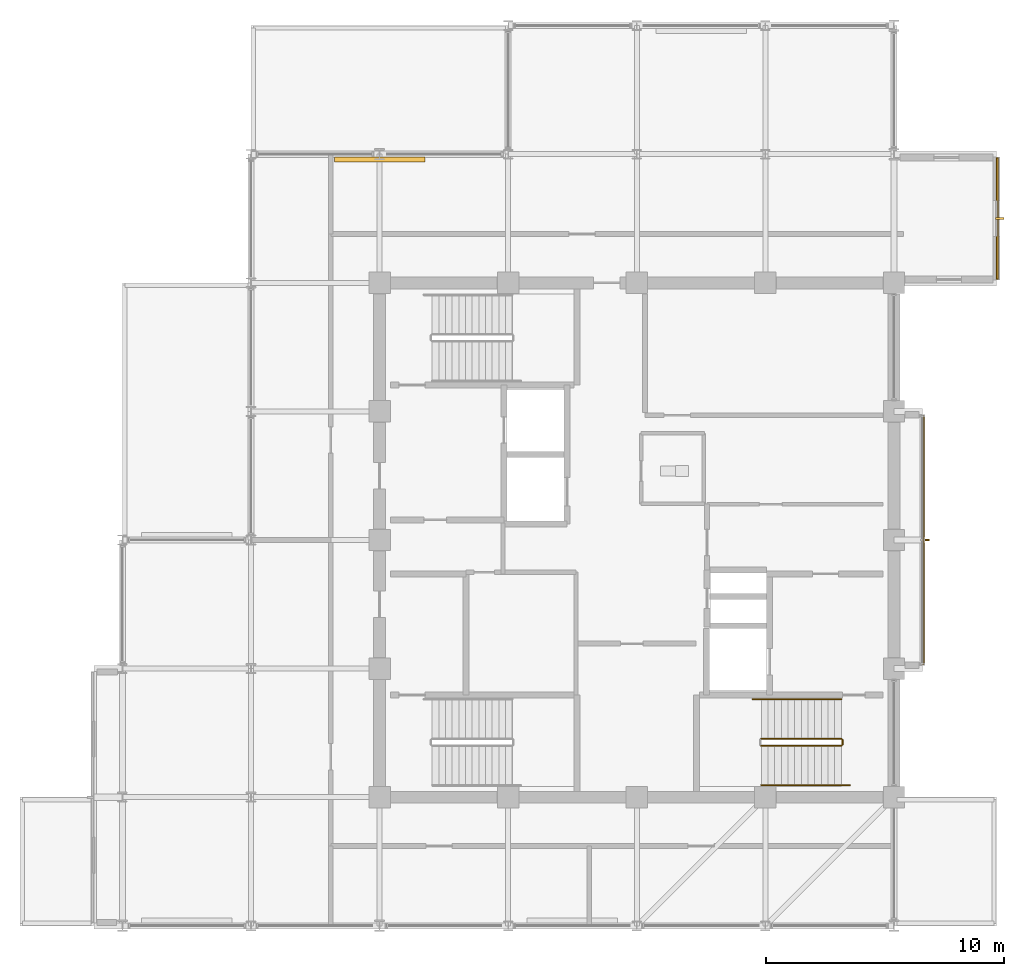
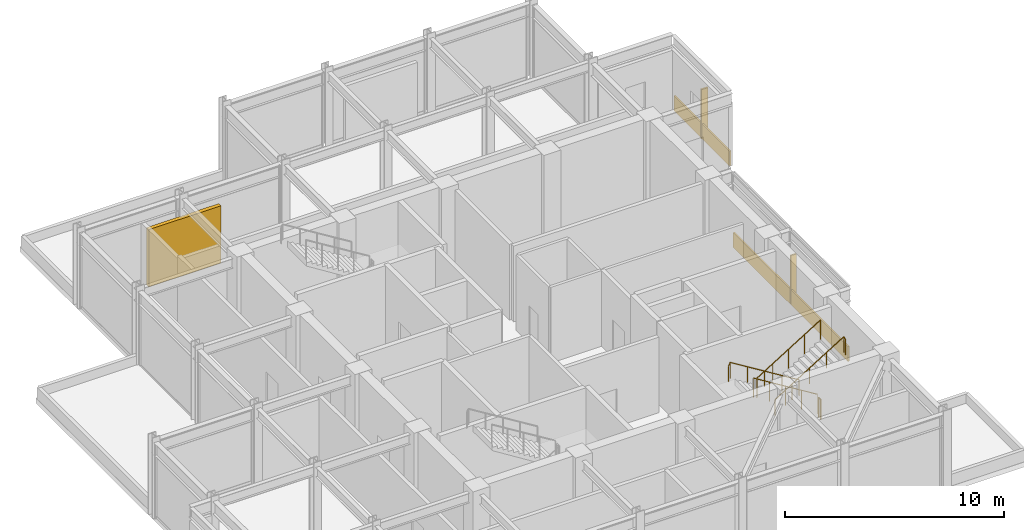
# One storey, part 19 of 21: 5 railings, 3 shading devices, 2 coverings.
"""IFC4 building model written with IfcOpenShell, lengths in metres."""

from ifc_helpers import new_model, si_unit, direction, frame, origin, origin_2d, place, context, subcontext, project, spatial, rectangle, circle, extrude, material, layer, layer_set, type_object, element, save


model = new_model("IFC4")

# Units and contexts
model_context = context("Model", 3, precision=1e-05, world=origin(), true_north=direction((0.0, 1.0)))
body_context = subcontext(model_context, "Body", "Model", "MODEL_VIEW")
ifc_project = project(units=[si_unit("LENGTHUNIT", "METRE"), si_unit("AREAUNIT", "SQUARE_METRE"), si_unit("VOLUMEUNIT", "CUBIC_METRE"), si_unit("PLANEANGLEUNIT", "RADIAN"), si_unit("MASSUNIT", "GRAM", prefix="KILO")], contexts=[model_context])

# Site, building, storey
site_placement = place(None, origin())
site = spatial("IfcSite", under=ifc_project, at=site_placement, CompositionType="ELEMENT")
building_placement = place(site_placement, origin())
building = spatial("IfcBuilding", under=site, at=building_placement, Name="Surkhivell Harbour Commons", CompositionType="ELEMENT")
storey_placement = place(building_placement, frame((0.0, 0.0, 346.5)))
storey = spatial("IfcBuildingStorey", under=building, at=storey_placement, Name="L90", CompositionType="ELEMENT", Elevation=346.5)

# Coverings
ifc_material_1 = material(Name="Cobalt-azure enamelled aluminium cassette panel", Category="aluminium")
ifc_layer_1 = layer(ifc_material_1, 0.072021484375)
ifc_layer_set_1 = layer_set([ifc_layer_1], Name="Cobalt-azure enamelled aluminium cassette panel")
covering_type_1 = type_object("IfcCoveringType", Name="COV-CLAD-COB", PredefinedType="CLADDING", material=ifc_layer_set_1)
covering_1_placement = place(storey_placement, frame((12.0400390625, 0.0, 0.0), z_axis=(0.0, 0.0, 1.0), x_axis=(1.0, 0.0, 0.0)))
element("IfcCovering", 1, at=covering_1_placement, inside=storey, type_object=covering_type_1, Name="L90 Coloured-Panel Box Spandrel Cassette 01", PredefinedType="CLADDING", context=body_context, shape_type="SweptSolid", body=[
    extrude(rectangle(XDim=0.080078125, YDim=10.5, at=origin_2d()), origin(), (0.0, 0.0, 1.0), 0.840087890625),
])
ifc_material_2 = material(Name="Saffron-gold enamelled aluminium cassette panel", Category="aluminium")
ifc_layer_2 = layer(ifc_material_2, 0.070068359375)
ifc_layer_set_2 = layer_set([ifc_layer_2], Name="Saffron-gold enamelled aluminium cassette panel")
covering_type_2 = type_object("IfcCoveringType", Name="COV-CLAD-SAF", PredefinedType="CLADDING", material=ifc_layer_set_2)
covering_2_placement = place(storey_placement, frame((15.139892578125, 13.5, 0.0), z_axis=(0.0, 0.0, 1.0), x_axis=(1.0, 0.0, 0.0)))
element("IfcCovering", 2, at=covering_2_placement, inside=storey, type_object=covering_type_2, Name="L90 Coloured-Panel Box Spandrel Cassette 02", PredefinedType="CLADDING", context=body_context, shape_type="SweptSolid", body=[
    extrude(rectangle(XDim=0.080078125, YDim=5.10009765625, at=origin_2d()), origin(), (0.0, 0.0, 1.0), 0.840087890625),
])

# Railings
ifc_material_3 = material(Name="Galvanised and painted steel S355 guard rail", Category="steel")
railing_type_1 = type_object("IfcRailingType", Name="RAL-ST-GRD1100", PredefinedType="GUARDRAIL", material=ifc_material_3)
railing_1_placement = place(storey_placement, frame((8.590087890625, -8.340087890625, 0.173095703125)))
element("IfcRailing", 3, at=railing_1_placement, inside=storey, type_object=railing_type_1, Name="L90 ST2 stair guard 1", PredefinedType="GUARDRAIL", context=body_context, shape_type="SweptSolid", body=[
    extrude(circle(Radius=0.02392578125, at=origin_2d()), frame((0.0, 0.0, 1.076171875), z_axis=(-0.850623216509, 0.0, 0.525775754039), x_axis=(0.0, -1.0, 0.0)), (0.0, 0.0, 1.0), 3.9501953125),
    extrude(circle(Radius=0.02099609375, at=origin_2d()), origin(), (0.0, 0.0, 1.0), 1.052001953125),
    extrude(circle(Radius=0.02099609375, at=origin_2d()), frame((-0.840087890625, 0.0, 0.519287109375)), (0.0, 0.0, 1.0), 1.052001953125),
    extrude(circle(Radius=0.02099609375, at=origin_2d()), frame((-1.68017578125, 0.0, 1.03857421875)), (0.0, 0.0, 1.0), 1.052001953125),
    extrude(circle(Radius=0.02099609375, at=origin_2d()), frame((-2.52001953125, 0.0, 1.5576171875)), (0.0, 0.0, 1.0), 1.052001953125),
    extrude(circle(Radius=0.02099609375, at=origin_2d()), frame((-3.360107421875, 0.0, 2.076904296875)), (0.0, 0.0, 1.0), 1.052001953125),
])
railing_2_placement = place(storey_placement, frame((5.22998046875, -8.639892578125, 2.423095703125)))
element("IfcRailing", 4, at=railing_2_placement, inside=storey, type_object=railing_type_1, Name="L90 ST2 stair guard 3", PredefinedType="GUARDRAIL", context=body_context, shape_type="SweptSolid", body=[
    extrude(circle(Radius=0.02392578125, at=origin_2d()), frame((0.0, 0.0, 1.076171875), z_axis=(0.850623216509, 0.0, 0.525775754039), x_axis=(0.0, 1.0, 0.0)), (0.0, 0.0, 1.0), 3.9501953125),
    extrude(circle(Radius=0.02099609375, at=origin_2d()), origin(), (0.0, 0.0, 1.0), 1.052001953125),
    extrude(circle(Radius=0.02099609375, at=origin_2d()), frame((0.840087890625, 0.0, 0.519287109375)), (0.0, 0.0, 1.0), 1.052001953125),
    extrude(circle(Radius=0.02099609375, at=origin_2d()), frame((1.68017578125, 0.0, 1.03857421875)), (0.0, 0.0, 1.0), 1.052001953125),
    extrude(circle(Radius=0.02099609375, at=origin_2d()), frame((2.52001953125, 0.0, 1.5576171875)), (0.0, 0.0, 1.0), 1.052001953125),
    extrude(circle(Radius=0.02099609375, at=origin_2d()), frame((3.360107421875, 0.0, 2.076904296875)), (0.0, 0.0, 1.0), 1.052001953125),
])
railing_3_placement = place(storey_placement, frame((8.639892578125, -8.389892578125, 0.0)))
element("IfcRailing", 5, at=railing_3_placement, inside=storey, type_object=railing_type_1, Name="L90 ST2 stair guard 4", PredefinedType="GUARDRAIL", context=body_context, shape_type="SweptSolid", body=[
    extrude(circle(Radius=0.02392578125, at=origin_2d()), frame((0.0, 0.0, 1.076171875), z_axis=(0.0, -1.0, 0.0), x_axis=(1.0, 0.0, 0.0)), (0.0, 0.0, 1.0), 0.2001953125),
    extrude(circle(Radius=0.02099609375, at=origin_2d()), origin(), (0.0, 0.0, 1.0), 1.052001953125),
    extrude(circle(Radius=0.02099609375, at=origin_2d()), frame((0.0, -0.2001953125, 0.0)), (0.0, 0.0, 1.0), 1.052001953125),
])
ifc_material_4 = material(Name="Brushed stainless steel S355 handrail", Category="steel")
railing_type_2 = type_object("IfcRailingType", Name="RAL-ST-HND900", PredefinedType="HANDRAIL", material=ifc_material_4)
railing_4_placement = place(storey_placement, frame((8.590087890625, -6.68994140625, 0.173095703125)))
element("IfcRailing", 6, at=railing_4_placement, inside=storey, type_object=railing_type_2, Name="L90 ST2 stair handrail 1", PredefinedType="HANDRAIL", context=body_context, shape_type="SweptSolid", body=[
    extrude(circle(Radius=0.02392578125, at=origin_2d()), frame((0.0, 0.0, 0.8759765625), z_axis=(-0.850622404505, 0.0, 0.525777067734), x_axis=(0.0, -1.0, 0.0)), (0.0, 0.0, 1.0), 4.279296875),
    extrude(circle(Radius=0.02392578125, at=origin_2d()), frame((-3.64013671875, 0.0, 3.1259765625), z_axis=(-0.418814502111, 0.0, -0.908071810388), x_axis=(0.0, -1.0, 0.0)), (0.0, 0.0, 1.0), 0.190673828125),
    extrude(circle(Radius=0.02099609375, at=origin_2d()), origin(), (0.0, 0.0, 1.0), 0.851806640625),
    extrude(circle(Radius=0.02099609375, at=origin_2d()), frame((-0.91015625, 0.0, 0.5625)), (0.0, 0.0, 1.0), 0.851806640625),
    extrude(circle(Radius=0.02099609375, at=origin_2d()), frame((-1.820068359375, 0.0, 1.125)), (0.0, 0.0, 1.0), 0.851806640625),
    extrude(circle(Radius=0.02099609375, at=origin_2d()), frame((-2.72998046875, 0.0, 1.6875)), (0.0, 0.0, 1.0), 0.851806640625),
    extrude(circle(Radius=0.02099609375, at=origin_2d()), frame((-3.64013671875, 0.0, 2.25)), (0.0, 0.0, 1.0), 0.851806640625),
    extrude(circle(Radius=0.02099609375, at=origin_2d()), frame((-3.719970703125, 0.0, 2.076904296875)), (0.0, 0.0, 1.0), 0.851806640625),
])
railing_5_placement = place(storey_placement, frame((5.22998046875, -10.2900390625, 2.423095703125)))
element("IfcRailing", 7, at=railing_5_placement, inside=storey, type_object=railing_type_2, Name="L90 ST2 stair handrail 2", PredefinedType="HANDRAIL", context=body_context, shape_type="SweptSolid", body=[
    extrude(circle(Radius=0.02392578125, at=origin_2d()), frame((0.0, 0.0, 0.8759765625), z_axis=(0.850622404505, 0.0, 0.525777067734), x_axis=(0.0, 1.0, 0.0)), (0.0, 0.0, 1.0), 4.279296875),
    extrude(circle(Radius=0.02392578125, at=origin_2d()), frame((3.64013671875, 0.0, 3.1259765625), z_axis=(0.418814502111, 0.0, -0.908071810388), x_axis=(0.0, 1.0, 0.0)), (0.0, 0.0, 1.0), 0.190673828125),
    extrude(circle(Radius=0.02099609375, at=origin_2d()), origin(), (0.0, 0.0, 1.0), 0.851806640625),
    extrude(circle(Radius=0.02099609375, at=origin_2d()), frame((0.91015625, 0.0, 0.5625)), (0.0, 0.0, 1.0), 0.851806640625),
    extrude(circle(Radius=0.02099609375, at=origin_2d()), frame((1.820068359375, 0.0, 1.125)), (0.0, 0.0, 1.0), 0.851806640625),
    extrude(circle(Radius=0.02099609375, at=origin_2d()), frame((2.72998046875, 0.0, 1.6875)), (0.0, 0.0, 1.0), 0.851806640625),
    extrude(circle(Radius=0.02099609375, at=origin_2d()), frame((3.64013671875, 0.0, 2.25)), (0.0, 0.0, 1.0), 0.851806640625),
    extrude(circle(Radius=0.02099609375, at=origin_2d()), frame((3.719970703125, 0.0, 2.076904296875)), (0.0, 0.0, 1.0), 0.851806640625),
])

# Shading devices
ifc_material_5 = material(Name="Champagne anodised aluminium solar fin", Category="aluminium")
shading_device_type_1 = type_object("IfcShadingDeviceType", Name="SHD-FIN-SLIM", PredefinedType="USERDEFINED", material=ifc_material_5)
shading_device_1_placement = place(storey_placement, frame((12.139892578125, 0.0, 0.0048828125), z_axis=(0.0, 0.0, 1.0), x_axis=(1.0, 0.0, 0.0)))
element("IfcShadingDevice", 8, at=shading_device_1_placement, inside=storey, type_object=shading_device_type_1, Name="L90 Coloured-Box Solar Fin 01", ObjectType="FIN", PredefinedType="USERDEFINED", context=body_context, shape_type="SweptSolid", body=[
    extrude(rectangle(XDim=0.280029296875, YDim=0.080078125, at=origin_2d()), origin(), (0.0, 0.0, 1.0), 2.75),
])
ifc_material_6 = material(Name="Anodised pale-metal aluminium solar fin", Category="aluminium")
shading_device_type_2 = type_object("IfcShadingDeviceType", Name="SHD-FIN-VERT", PredefinedType="USERDEFINED", material=ifc_material_6)
shading_device_2_placement = place(storey_placement, frame((15.239990234375, 13.5, 0.0048828125), z_axis=(0.0, 0.0, 1.0), x_axis=(1.0, 0.0, 0.0)))
element("IfcShadingDevice", 9, at=shading_device_2_placement, inside=storey, type_object=shading_device_type_2, Name="L90 Coloured-Box Solar Fin 02", ObjectType="FIN", PredefinedType="USERDEFINED", context=body_context, shape_type="SweptSolid", body=[
    extrude(rectangle(XDim=0.360107421875, YDim=0.090087890625, at=origin_2d()), origin(), (0.0, 0.0, 1.0), 2.75),
])
ifc_material_7 = material(Name="Crown pale-metal storm louvre assembly", Category="aluminium")
shading_device_type_3 = type_object("IfcShadingDeviceType", Name="SHD-LOUV-CRN", PredefinedType="JALOUSIE", material=ifc_material_7)
shading_device_3_placement = place(storey_placement, frame((-10.800048828125, 15.97998046875, 0.0), z_axis=(0.0, 0.0, 1.0), x_axis=(1.0, 0.0, 0.0)))
element("IfcShadingDevice", 10, at=shading_device_3_placement, inside=storey, type_object=shading_device_type_3, Name="L90 Crown Acoustic Louvre Screen 01", PredefinedType="JALOUSIE", context=body_context, shape_type="SweptSolid", body=[
    extrude(rectangle(XDim=3.800048828125, YDim=0.199951171875, at=origin_2d()), origin(), (0.0, 0.0, 1.0), 3.199951171875),
])

save(model, "model.ifc")
